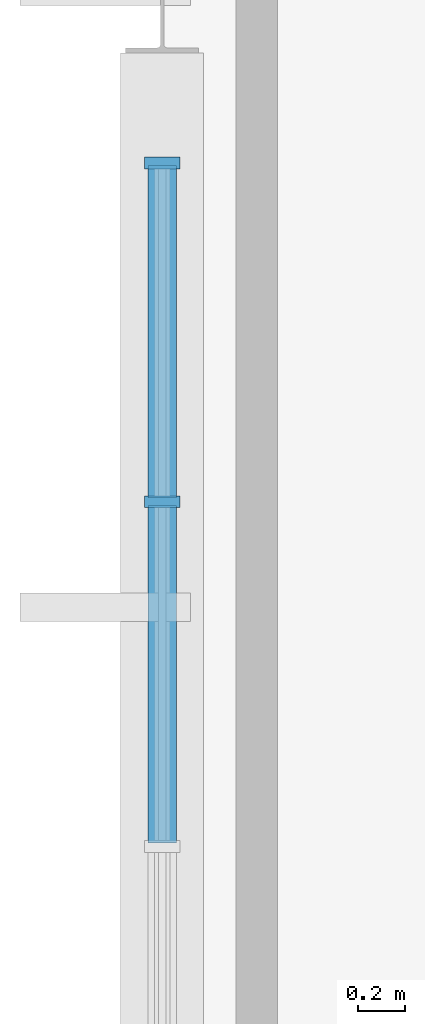
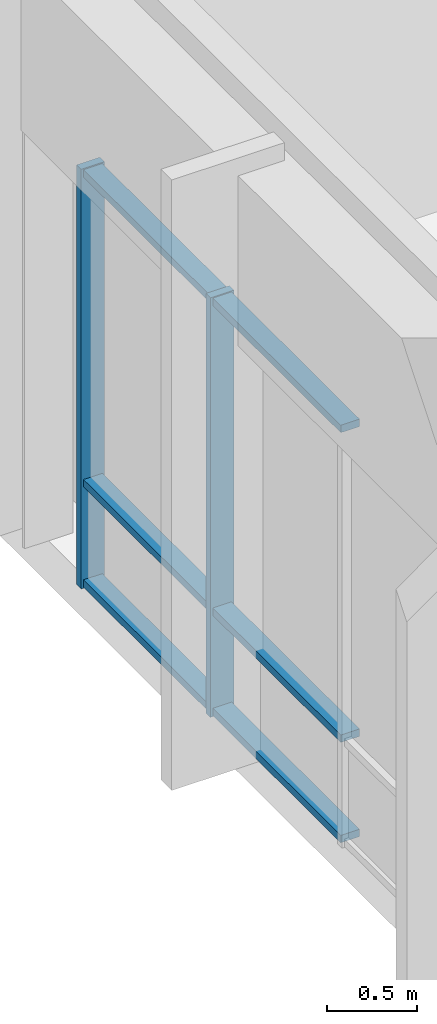
# One storey, part 10 of 16: 8 members, 1 element without a shape of its own.
"""IFC4 building model written with IfcOpenShell, lengths in metres."""

from ifc_helpers import new_model, si_unit, direction, frame, origin, origin_2d, place, context, subcontext, project, spatial, rectangle, extrude, material, material_profile, profile_set, type_object, element, aggregate, save


model = new_model("IFC4")

# Units and contexts
model_context = context("Model", 3, precision=1e-05, world=origin(), true_north=direction((0.0, 1.0)))
body_context = subcontext(model_context, "Body", "Model", "MODEL_VIEW")
ifc_project = project(units=[si_unit("LENGTHUNIT", "METRE"), si_unit("AREAUNIT", "SQUARE_METRE"), si_unit("VOLUMEUNIT", "CUBIC_METRE"), si_unit("PLANEANGLEUNIT", "RADIAN"), si_unit("MASSUNIT", "GRAM", prefix="KILO")], contexts=[model_context])

# Site, building, storey
site_placement = place(None, origin())
site = spatial("IfcSite", under=ifc_project, at=site_placement, CompositionType="ELEMENT")
building_placement = place(site_placement, origin())
building = spatial("IfcBuilding", under=site, at=building_placement, Name="Larkveld Mobility Hub", CompositionType="ELEMENT")
storey_placement = place(building_placement, frame((0.0, 0.0, 22.800048828125)))
storey = spatial("IfcBuildingStorey", under=building, at=storey_placement, Name="L06", CompositionType="ELEMENT", Elevation=22.800048828125)

# Curtain wall, members
ifc_material = material(Name="Anodised aluminium 6063-T6", Category="aluminium")
curtain_wall_type = type_object("IfcCurtainWallType", Name="CW-SYS-05", PredefinedType="NOTDEFINED", material=ifc_material)
curtain_wall_placement = place(storey_placement, origin())
curtain_wall = element("IfcCurtainWall", 1, at=curtain_wall_placement, inside=storey, type_object=curtain_wall_type, Name="EV Wing West Glazing L06 CW-173", PredefinedType="NOTDEFINED")
ifc_material_profile_1 = material_profile(ifc_material, rectangle(XDim=0.050048828125, YDim=0.14990234375, at=origin_2d()), Name="ALU MULL 50x150")
ifc_profile_set_1 = profile_set([ifc_material_profile_1], Name="Anodised aluminium 6063-T6")
member_type_1 = type_object("IfcMemberType", Name="CW-MUL-01", PredefinedType="MULLION", material=ifc_profile_set_1)
member_1_placement = place(storey_placement, frame((112.0, 62.375, -0.001953125), z_axis=(0.0, 0.0, 1.0), x_axis=(0.0, -1.0, 0.0)))
member_1 = element("IfcMember", 2, at=member_1_placement, type_object=member_type_1, Name="CW05 mullion 1", PredefinedType="MULLION", context=body_context, shape_type="SweptSolid", body=[
    extrude(rectangle(XDim=0.050048828125, YDim=0.14990234375, at=origin_2d()), origin(), (0.0, 0.0, 1.0), 2.831787109375),
])
member_2_placement = place(storey_placement, frame((112.0, 60.945068359375, -0.001953125), z_axis=(0.0, 0.0, 1.0), x_axis=(0.0, -1.0, 0.0)))
member_2 = element("IfcMember", 3, at=member_2_placement, type_object=member_type_1, Name="CW05 mullion 2", PredefinedType="MULLION", context=body_context, shape_type="SweptSolid", body=[
    extrude(rectangle(XDim=0.050048828125, YDim=0.14990234375, at=origin_2d()), origin(), (0.0, 0.0, 1.0), 2.831787109375),
])
ifc_material_profile_2 = material_profile(ifc_material, rectangle(XDim=0.1201171875, YDim=0.050048828125, at=origin_2d()), Name="ALU TRAN 50x120")
ifc_profile_set_2 = profile_set([ifc_material_profile_2], Name="Anodised aluminium 6063-T6")
member_type_2 = type_object("IfcMemberType", Name="CW-TRN-01", PredefinedType="USERDEFINED", material=ifc_profile_set_2)
member_3_placement = place(storey_placement, frame((112.0, 62.364990234375, 0.030029296875), z_axis=(0.0, -1.0, 0.0), x_axis=(1.0, 0.0, 0.0)))
member_3 = element("IfcMember", 4, at=member_3_placement, type_object=member_type_2, Name="CW05 transom 1.1", ObjectType="TRANSOM", PredefinedType="USERDEFINED", context=body_context, shape_type="SweptSolid", body=[
    extrude(rectangle(XDim=0.1201171875, YDim=0.050048828125, at=origin_2d()), origin(), (0.0, 0.0, 1.0), 1.405029296875),
])
member_4_placement = place(storey_placement, frame((112.0, 62.364990234375, 0.70703125), z_axis=(0.0, -1.0, 0.0), x_axis=(1.0, 0.0, 0.0)))
member_4 = element("IfcMember", 5, at=member_4_placement, type_object=member_type_2, Name="CW05 transom 1.2", ObjectType="TRANSOM", PredefinedType="USERDEFINED", context=body_context, shape_type="SweptSolid", body=[
    extrude(rectangle(XDim=0.1201171875, YDim=0.050048828125, at=origin_2d()), origin(), (0.0, 0.0, 1.0), 1.405029296875),
])
member_5_placement = place(storey_placement, frame((112.0, 62.364990234375, 2.7978515625), z_axis=(0.0, -1.0, 0.0), x_axis=(1.0, 0.0, 0.0)))
member_5 = element("IfcMember", 6, at=member_5_placement, type_object=member_type_2, Name="CW05 transom 1.3", ObjectType="TRANSOM", PredefinedType="USERDEFINED", context=body_context, shape_type="SweptSolid", body=[
    extrude(rectangle(XDim=0.1201171875, YDim=0.050048828125, at=origin_2d()), origin(), (0.0, 0.0, 1.0), 1.405029296875),
])
member_6_placement = place(storey_placement, frame((112.0, 60.929931640625, 0.030029296875), z_axis=(0.0, -1.0, 0.0), x_axis=(1.0, 0.0, 0.0)))
member_6 = element("IfcMember", 7, at=member_6_placement, type_object=member_type_2, Name="CW05 transom 2.1", ObjectType="TRANSOM", PredefinedType="USERDEFINED", context=body_context, shape_type="SweptSolid", body=[
    extrude(rectangle(XDim=0.1201171875, YDim=0.050048828125, at=origin_2d()), origin(), (0.0, 0.0, 1.0), 1.425048828125),
])
member_7_placement = place(storey_placement, frame((112.0, 60.929931640625, 0.70703125), z_axis=(0.0, -1.0, 0.0), x_axis=(1.0, 0.0, 0.0)))
member_7 = element("IfcMember", 8, at=member_7_placement, type_object=member_type_2, Name="CW05 transom 2.2", ObjectType="TRANSOM", PredefinedType="USERDEFINED", context=body_context, shape_type="SweptSolid", body=[
    extrude(rectangle(XDim=0.1201171875, YDim=0.050048828125, at=origin_2d()), origin(), (0.0, 0.0, 1.0), 1.425048828125),
])
member_8_placement = place(storey_placement, frame((112.0, 60.929931640625, 2.7978515625), z_axis=(0.0, -1.0, 0.0), x_axis=(1.0, 0.0, 0.0)))
member_8 = element("IfcMember", 9, at=member_8_placement, type_object=member_type_2, Name="CW05 transom 2.3", ObjectType="TRANSOM", PredefinedType="USERDEFINED", context=body_context, shape_type="SweptSolid", body=[
    extrude(rectangle(XDim=0.1201171875, YDim=0.050048828125, at=origin_2d()), origin(), (0.0, 0.0, 1.0), 1.425048828125),
])
aggregate(curtain_wall, [member_1, member_2, member_3, member_4, member_5, member_6, member_7, member_8])

save(model, "model.ifc")
